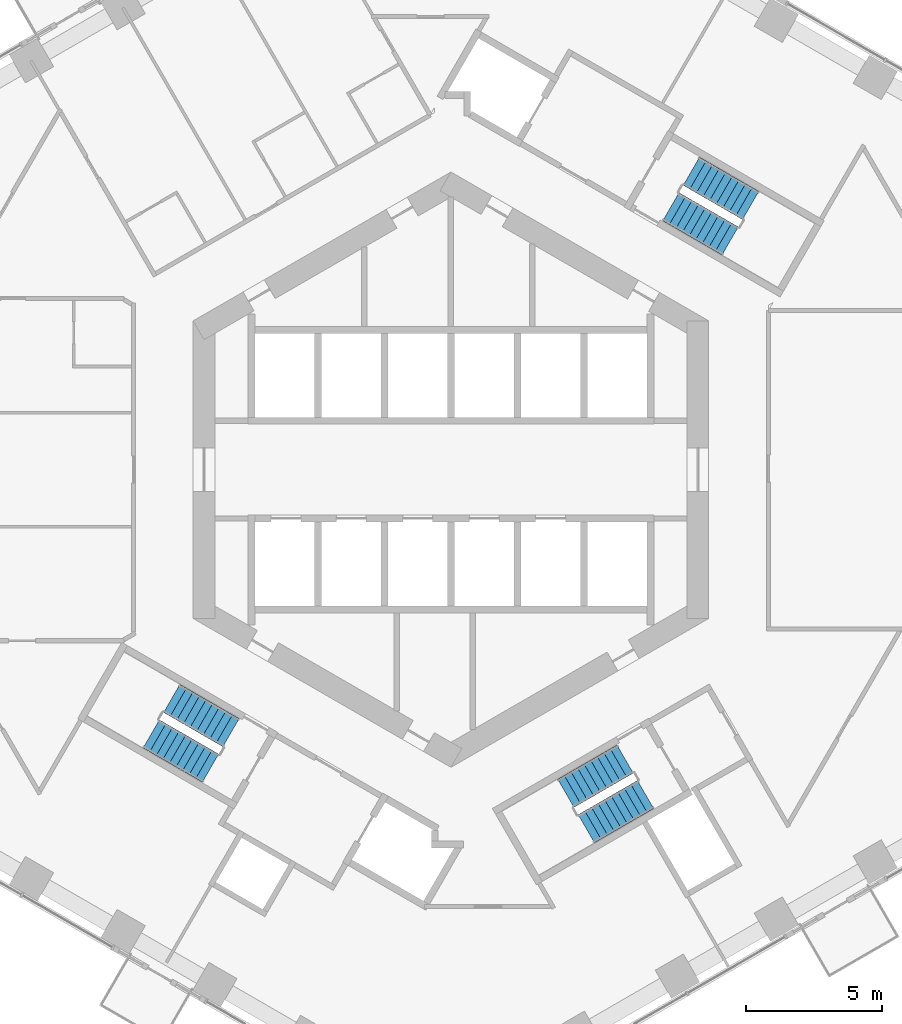
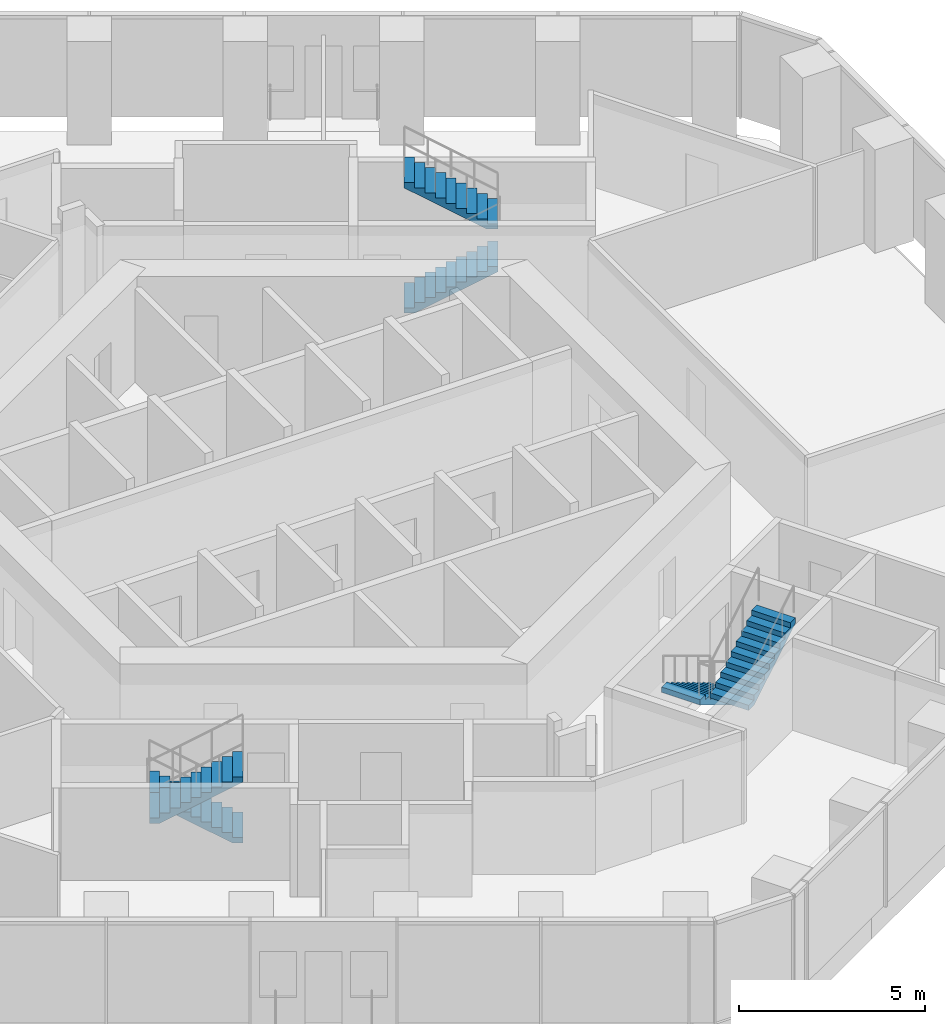
# One storey, part 17 of 20: 6 stair flights, 3 elements without a shape of their own.
"""IFC4 building model written with IfcOpenShell, lengths in metres."""

from ifc_helpers import new_model, si_unit, direction, frame, origin, place, context, subcontext, project, spatial, triangles, material, type_object, element, aggregate, save


model = new_model("IFC4")

# Units and contexts
model_context = context("Model", 3, precision=1e-05, world=origin(), true_north=direction((0.0, 1.0)))
body_context = subcontext(model_context, "Body", "Model", "MODEL_VIEW")
ifc_project = project(units=[si_unit("LENGTHUNIT", "METRE"), si_unit("AREAUNIT", "SQUARE_METRE"), si_unit("VOLUMEUNIT", "CUBIC_METRE"), si_unit("PLANEANGLEUNIT", "RADIAN"), si_unit("MASSUNIT", "GRAM", prefix="KILO")], contexts=[model_context])

# Site, building, storey
site_placement = place(None, origin())
site = spatial("IfcSite", under=ifc_project, at=site_placement, CompositionType="ELEMENT")
building_placement = place(site_placement, origin())
building = spatial("IfcBuilding", under=site, at=building_placement, Name="Ayvan Gate Tower", CompositionType="ELEMENT")
storey_placement = place(building_placement, frame((0.0, 0.0, 49.300048828125)))
storey = spatial("IfcBuildingStorey", under=building, at=storey_placement, Name="L12", CompositionType="ELEMENT", Elevation=49.300048828125)

# Stair, stair flights
ifc_material = material(Name="Concrete C40/50", Category="concrete")
stair_type = type_object("IfcStairType", Name="ST-EXIT", PredefinedType="HALF_TURN_STAIR", material=ifc_material)
stair_1_placement = place(storey_placement, origin())
stair_1 = element("IfcStair", 1, at=stair_1_placement, inside=storey, type_object=stair_type, Name="L12 Exit Stair S1", PredefinedType="HALF_TURN_STAIR")
stair_flight_type = type_object("IfcStairFlightType", Name="SFL-EXIT", PredefinedType="STRAIGHT", material=ifc_material)
stair_flight_1_placement = place(storey_placement, frame((8.106201171875, 9.690185546875, 0.0), z_axis=(0.0, 0.0, 1.0), x_axis=(0.866025403784, -0.5, 0.0)))
stair_flight_1 = element("IfcStairFlight", 2, at=stair_flight_1_placement, type_object=stair_flight_type, Name="STS1 flight 1", NumberOfRisers=10, NumberOfTreads=9, PredefinedType="STRAIGHT", RiserHeight=0.17, TreadLength=0.28, context=body_context, shape_type="Tessellation", body=[
    triangles([(0.288841, -0.599976, 0.0), (2.5205, -0.599976, 1.354936), (2.5205, -0.599976, 1.53), (2.24, -0.599976, 1.53), (2.24, -0.599976, 1.36), (1.96, -0.599976, 1.36), (1.96, -0.599976, 1.19), (1.68, -0.599976, 1.19), (1.68, -0.599976, 1.02), (1.4, -0.599976, 1.02), (1.4, -0.599976, 0.85), (1.12, -0.599976, 0.85), (1.12, -0.599976, 0.68), (0.84, -0.599976, 0.68), (0.84, -0.599976, 0.51), (0.56, -0.599976, 0.51), (0.56, -0.599976, 0.34), (0.28, -0.599976, 0.34), (0.28, -0.599976, 0.17), (-0.0005, -0.599976, 0.17), (-0.0005, -0.599976, 0.0), (0.288841, 0.0, 0.0), (2.5205, 0.0, 1.354936), (2.5205, 0.0, 1.53), (2.24, 0.0, 1.53), (2.24, 0.0, 1.36), (1.96, 0.0, 1.36), (1.96, 0.0, 1.19), (1.68, 0.0, 1.19), (1.68, 0.0, 1.02), (1.4, 0.0, 1.02), (1.4, 0.0, 0.85), (1.12, 0.0, 0.85), (1.12, 0.0, 0.68), (0.84, 0.0, 0.68), (0.84, 0.0, 0.51), (0.56, 0.0, 0.51), (0.56, 0.0, 0.34), (0.28, 0.0, 0.34), (0.28, 0.0, 0.17), (-0.0005, 0.0, 0.17), (-0.0005, 0.0, 0.0), (0.288841, 0.599976, 0.0), (2.5205, 0.599976, 1.354936), (2.5205, 0.599976, 1.53), (2.24, 0.599976, 1.53), (2.24, 0.599976, 1.36), (1.96, 0.599976, 1.36), (1.96, 0.599976, 1.19), (1.68, 0.599976, 1.19), (1.68, 0.599976, 1.02), (1.4, 0.599976, 1.02), (1.4, 0.599976, 0.85), (1.12, 0.599976, 0.85), (1.12, 0.599976, 0.68), (0.84, 0.599976, 0.68), (0.84, 0.599976, 0.51), (0.56, 0.599976, 0.51), (0.56, 0.599976, 0.34), (0.28, 0.599976, 0.34), (0.28, 0.599976, 0.17), (-0.0005, 0.599976, 0.17), (-0.0005, 0.599976, 0.0)], [[21, 1, 2], [63, 44, 43], [2, 3, 4], [44, 46, 45], [2, 4, 5], [44, 47, 46], [2, 5, 6], [44, 48, 47], [2, 6, 7], [44, 49, 48], [7, 8, 9], [49, 51, 50], [2, 7, 9], [44, 51, 49], [9, 10, 11], [51, 53, 52], [2, 9, 11], [44, 53, 51], [11, 12, 13], [53, 55, 54], [2, 11, 13], [44, 55, 53], [13, 14, 15], [55, 57, 56], [2, 13, 15], [44, 57, 55], [15, 16, 17], [57, 59, 58], [2, 15, 17], [44, 59, 57], [17, 18, 19], [59, 61, 60], [2, 17, 19], [44, 61, 59], [21, 2, 19], [63, 61, 44], [19, 20, 21], [61, 63, 62], [1, 22, 23], [1, 23, 2], [43, 23, 22], [43, 44, 23], [2, 23, 24], [2, 24, 3], [44, 24, 23], [44, 45, 24], [3, 24, 25], [3, 25, 4], [45, 25, 24], [45, 46, 25], [4, 25, 26], [4, 26, 5], [46, 26, 25], [46, 47, 26], [5, 26, 27], [5, 27, 6], [47, 27, 26], [47, 48, 27], [6, 27, 28], [6, 28, 7], [48, 28, 27], [48, 49, 28], [7, 28, 29], [7, 29, 8], [49, 29, 28], [49, 50, 29], [8, 29, 30], [8, 30, 9], [50, 30, 29], [50, 51, 30], [9, 30, 31], [9, 31, 10], [51, 31, 30], [51, 52, 31], [10, 31, 32], [10, 32, 11], [52, 32, 31], [52, 53, 32], [11, 32, 33], [11, 33, 12], [53, 33, 32], [53, 54, 33], [12, 33, 34], [12, 34, 13], [54, 34, 33], [54, 55, 34], [13, 34, 35], [13, 35, 14], [55, 35, 34], [55, 56, 35], [14, 35, 36], [14, 36, 15], [56, 36, 35], [56, 57, 36], [15, 36, 37], [15, 37, 16], [57, 37, 36], [57, 58, 37], [16, 37, 38], [16, 38, 17], [58, 38, 37], [58, 59, 38], [17, 38, 39], [17, 39, 18], [59, 39, 38], [59, 60, 39], [18, 39, 40], [18, 40, 19], [60, 40, 39], [60, 61, 40], [19, 40, 41], [19, 41, 20], [61, 41, 40], [61, 62, 41], [20, 41, 42], [20, 42, 21], [62, 42, 41], [62, 63, 42], [21, 42, 22], [21, 22, 1], [63, 22, 42], [63, 43, 22]], closed=True),
])
stair_flight_2_placement = place(storey_placement, frame((11.04345703125, 9.73779296875, 1.699951171875), z_axis=(0.0, 0.0, 1.0), x_axis=(-0.866025403784, 0.5, 0.0)))
stair_flight_2 = element("IfcStairFlight", 3, at=stair_flight_2_placement, type_object=stair_flight_type, Name="STS1 flight 2", NumberOfRisers=10, NumberOfTreads=9, PredefinedType="STRAIGHT", RiserHeight=0.17, TreadLength=0.28, context=body_context, shape_type="Tessellation", body=[
    triangles([(0.288841, -0.599976, 0.0), (2.5205, -0.599976, 1.354936), (2.5205, -0.599976, 1.53), (2.24, -0.599976, 1.53), (2.24, -0.599976, 1.36), (1.96, -0.599976, 1.36), (1.96, -0.599976, 1.19), (1.68, -0.599976, 1.19), (1.68, -0.599976, 1.02), (1.4, -0.599976, 1.02), (1.4, -0.599976, 0.85), (1.12, -0.599976, 0.85), (1.12, -0.599976, 0.68), (0.84, -0.599976, 0.68), (0.84, -0.599976, 0.51), (0.56, -0.599976, 0.51), (0.56, -0.599976, 0.34), (0.28, -0.599976, 0.34), (0.28, -0.599976, 0.17), (-0.0005, -0.599976, 0.17), (-0.0005, -0.599976, 0.0), (0.288841, 0.0, 0.0), (2.5205, 0.0, 1.354936), (2.5205, 0.0, 1.53), (2.24, 0.0, 1.53), (2.24, 0.0, 1.36), (1.96, 0.0, 1.36), (1.96, 0.0, 1.19), (1.68, 0.0, 1.19), (1.68, 0.0, 1.02), (1.4, 0.0, 1.02), (1.4, 0.0, 0.85), (1.12, 0.0, 0.85), (1.12, 0.0, 0.68), (0.84, 0.0, 0.68), (0.84, 0.0, 0.51), (0.56, 0.0, 0.51), (0.56, 0.0, 0.34), (0.28, 0.0, 0.34), (0.28, 0.0, 0.17), (-0.0005, 0.0, 0.17), (-0.0005, 0.0, 0.0), (0.288841, 0.599976, 0.0), (2.5205, 0.599976, 1.354936), (2.5205, 0.599976, 1.53), (2.24, 0.599976, 1.53), (2.24, 0.599976, 1.36), (1.96, 0.599976, 1.36), (1.96, 0.599976, 1.19), (1.68, 0.599976, 1.19), (1.68, 0.599976, 1.02), (1.4, 0.599976, 1.02), (1.4, 0.599976, 0.85), (1.12, 0.599976, 0.85), (1.12, 0.599976, 0.68), (0.84, 0.599976, 0.68), (0.84, 0.599976, 0.51), (0.56, 0.599976, 0.51), (0.56, 0.599976, 0.34), (0.28, 0.599976, 0.34), (0.28, 0.599976, 0.17), (-0.0005, 0.599976, 0.17), (-0.0005, 0.599976, 0.0)], [[21, 1, 2], [63, 44, 43], [2, 3, 4], [44, 46, 45], [2, 4, 5], [44, 47, 46], [2, 5, 6], [44, 48, 47], [2, 6, 7], [44, 49, 48], [7, 8, 9], [49, 51, 50], [2, 7, 9], [44, 51, 49], [9, 10, 11], [51, 53, 52], [2, 9, 11], [44, 53, 51], [11, 12, 13], [53, 55, 54], [2, 11, 13], [44, 55, 53], [13, 14, 15], [55, 57, 56], [2, 13, 15], [44, 57, 55], [15, 16, 17], [57, 59, 58], [2, 15, 17], [44, 59, 57], [17, 18, 19], [59, 61, 60], [2, 17, 19], [44, 61, 59], [21, 2, 19], [63, 61, 44], [19, 20, 21], [61, 63, 62], [1, 22, 23], [1, 23, 2], [43, 23, 22], [43, 44, 23], [2, 23, 24], [2, 24, 3], [44, 24, 23], [44, 45, 24], [3, 24, 25], [3, 25, 4], [45, 25, 24], [45, 46, 25], [4, 25, 26], [4, 26, 5], [46, 26, 25], [46, 47, 26], [5, 26, 27], [5, 27, 6], [47, 27, 26], [47, 48, 27], [6, 27, 28], [6, 28, 7], [48, 28, 27], [48, 49, 28], [7, 28, 29], [7, 29, 8], [49, 29, 28], [49, 50, 29], [8, 29, 30], [8, 30, 9], [50, 30, 29], [50, 51, 30], [9, 30, 31], [9, 31, 10], [51, 31, 30], [51, 52, 31], [10, 31, 32], [10, 32, 11], [52, 32, 31], [52, 53, 32], [11, 32, 33], [11, 33, 12], [53, 33, 32], [53, 54, 33], [12, 33, 34], [12, 34, 13], [54, 34, 33], [54, 55, 34], [13, 34, 35], [13, 35, 14], [55, 35, 34], [55, 56, 35], [14, 35, 36], [14, 36, 15], [56, 36, 35], [56, 57, 36], [15, 36, 37], [15, 37, 16], [57, 37, 36], [57, 58, 37], [16, 37, 38], [16, 38, 17], [58, 38, 37], [58, 59, 38], [17, 38, 39], [17, 39, 18], [59, 39, 38], [59, 60, 39], [18, 39, 40], [18, 40, 19], [60, 40, 39], [60, 61, 40], [19, 40, 41], [19, 41, 20], [61, 41, 40], [61, 62, 41], [20, 41, 42], [20, 42, 21], [62, 42, 41], [62, 63, 42], [21, 42, 22], [21, 22, 1], [63, 22, 42], [63, 43, 22]], closed=True),
])
aggregate(stair_1, [stair_flight_1, stair_flight_2])

stair_2_placement = place(storey_placement, origin())
stair_2 = element("IfcStair", 4, at=stair_2_placement, inside=storey, type_object=stair_type, Name="L12 Exit Stair S2", PredefinedType="HALF_TURN_STAIR")
stair_flight_3_placement = place(storey_placement, frame((-8.106201171875, -9.690185546875, 0.0), z_axis=(0.0, 0.0, 1.0), x_axis=(-0.866025403784, 0.5, 0.0)))
stair_flight_3 = element("IfcStairFlight", 5, at=stair_flight_3_placement, type_object=stair_flight_type, Name="STS2 flight 1", NumberOfRisers=10, NumberOfTreads=9, PredefinedType="STRAIGHT", RiserHeight=0.17, TreadLength=0.28, context=body_context, shape_type="Tessellation", body=[
    triangles([(0.288841, -0.599976, 0.0), (2.5205, -0.599976, 1.354936), (2.5205, -0.599976, 1.53), (2.24, -0.599976, 1.53), (2.24, -0.599976, 1.36), (1.96, -0.599976, 1.36), (1.96, -0.599976, 1.19), (1.68, -0.599976, 1.19), (1.68, -0.599976, 1.02), (1.4, -0.599976, 1.02), (1.4, -0.599976, 0.85), (1.12, -0.599976, 0.85), (1.12, -0.599976, 0.68), (0.84, -0.599976, 0.68), (0.84, -0.599976, 0.51), (0.56, -0.599976, 0.51), (0.56, -0.599976, 0.34), (0.28, -0.599976, 0.34), (0.28, -0.599976, 0.17), (-0.0005, -0.599976, 0.17), (-0.0005, -0.599976, 0.0), (0.288841, 0.0, 0.0), (2.5205, 0.0, 1.354936), (2.5205, 0.0, 1.53), (2.24, 0.0, 1.53), (2.24, 0.0, 1.36), (1.96, 0.0, 1.36), (1.96, 0.0, 1.19), (1.68, 0.0, 1.19), (1.68, 0.0, 1.02), (1.4, 0.0, 1.02), (1.4, 0.0, 0.85), (1.12, 0.0, 0.85), (1.12, 0.0, 0.68), (0.84, 0.0, 0.68), (0.84, 0.0, 0.51), (0.56, 0.0, 0.51), (0.56, 0.0, 0.34), (0.28, 0.0, 0.34), (0.28, 0.0, 0.17), (-0.0005, 0.0, 0.17), (-0.0005, 0.0, 0.0), (0.288841, 0.599976, 0.0), (2.5205, 0.599976, 1.354936), (2.5205, 0.599976, 1.53), (2.24, 0.599976, 1.53), (2.24, 0.599976, 1.36), (1.96, 0.599976, 1.36), (1.96, 0.599976, 1.19), (1.68, 0.599976, 1.19), (1.68, 0.599976, 1.02), (1.4, 0.599976, 1.02), (1.4, 0.599976, 0.85), (1.12, 0.599976, 0.85), (1.12, 0.599976, 0.68), (0.84, 0.599976, 0.68), (0.84, 0.599976, 0.51), (0.56, 0.599976, 0.51), (0.56, 0.599976, 0.34), (0.28, 0.599976, 0.34), (0.28, 0.599976, 0.17), (-0.0005, 0.599976, 0.17), (-0.0005, 0.599976, 0.0)], [[21, 1, 2], [63, 44, 43], [2, 3, 4], [44, 46, 45], [2, 4, 5], [44, 47, 46], [2, 5, 6], [44, 48, 47], [2, 6, 7], [44, 49, 48], [7, 8, 9], [49, 51, 50], [2, 7, 9], [44, 51, 49], [9, 10, 11], [51, 53, 52], [2, 9, 11], [44, 53, 51], [11, 12, 13], [53, 55, 54], [2, 11, 13], [44, 55, 53], [13, 14, 15], [55, 57, 56], [2, 13, 15], [44, 57, 55], [15, 16, 17], [57, 59, 58], [2, 15, 17], [44, 59, 57], [17, 18, 19], [59, 61, 60], [2, 17, 19], [44, 61, 59], [21, 2, 19], [63, 61, 44], [19, 20, 21], [61, 63, 62], [1, 22, 23], [1, 23, 2], [43, 23, 22], [43, 44, 23], [2, 23, 24], [2, 24, 3], [44, 24, 23], [44, 45, 24], [3, 24, 25], [3, 25, 4], [45, 25, 24], [45, 46, 25], [4, 25, 26], [4, 26, 5], [46, 26, 25], [46, 47, 26], [5, 26, 27], [5, 27, 6], [47, 27, 26], [47, 48, 27], [6, 27, 28], [6, 28, 7], [48, 28, 27], [48, 49, 28], [7, 28, 29], [7, 29, 8], [49, 29, 28], [49, 50, 29], [8, 29, 30], [8, 30, 9], [50, 30, 29], [50, 51, 30], [9, 30, 31], [9, 31, 10], [51, 31, 30], [51, 52, 31], [10, 31, 32], [10, 32, 11], [52, 32, 31], [52, 53, 32], [11, 32, 33], [11, 33, 12], [53, 33, 32], [53, 54, 33], [12, 33, 34], [12, 34, 13], [54, 34, 33], [54, 55, 34], [13, 34, 35], [13, 35, 14], [55, 35, 34], [55, 56, 35], [14, 35, 36], [14, 36, 15], [56, 36, 35], [56, 57, 36], [15, 36, 37], [15, 37, 16], [57, 37, 36], [57, 58, 37], [16, 37, 38], [16, 38, 17], [58, 38, 37], [58, 59, 38], [17, 38, 39], [17, 39, 18], [59, 39, 38], [59, 60, 39], [18, 39, 40], [18, 40, 19], [60, 40, 39], [60, 61, 40], [19, 40, 41], [19, 41, 20], [61, 41, 40], [61, 62, 41], [20, 41, 42], [20, 42, 21], [62, 42, 41], [62, 63, 42], [21, 42, 22], [21, 22, 1], [63, 22, 42], [63, 43, 22]], closed=True),
])
stair_flight_4_placement = place(storey_placement, frame((-11.04345703125, -9.73779296875, 1.699951171875), z_axis=(0.0, 0.0, 1.0), x_axis=(0.866025403784, -0.5, 0.0)))
stair_flight_4 = element("IfcStairFlight", 6, at=stair_flight_4_placement, type_object=stair_flight_type, Name="STS2 flight 2", NumberOfRisers=10, NumberOfTreads=9, PredefinedType="STRAIGHT", RiserHeight=0.17, TreadLength=0.28, context=body_context, shape_type="Tessellation", body=[
    triangles([(0.288841, -0.599976, 0.0), (2.5205, -0.599976, 1.354936), (2.5205, -0.599976, 1.53), (2.24, -0.599976, 1.53), (2.24, -0.599976, 1.36), (1.96, -0.599976, 1.36), (1.96, -0.599976, 1.19), (1.68, -0.599976, 1.19), (1.68, -0.599976, 1.02), (1.4, -0.599976, 1.02), (1.4, -0.599976, 0.85), (1.12, -0.599976, 0.85), (1.12, -0.599976, 0.68), (0.84, -0.599976, 0.68), (0.84, -0.599976, 0.51), (0.56, -0.599976, 0.51), (0.56, -0.599976, 0.34), (0.28, -0.599976, 0.34), (0.28, -0.599976, 0.17), (-0.0005, -0.599976, 0.17), (-0.0005, -0.599976, 0.0), (0.288841, 0.0, 0.0), (2.5205, 0.0, 1.354936), (2.5205, 0.0, 1.53), (2.24, 0.0, 1.53), (2.24, 0.0, 1.36), (1.96, 0.0, 1.36), (1.96, 0.0, 1.19), (1.68, 0.0, 1.19), (1.68, 0.0, 1.02), (1.4, 0.0, 1.02), (1.4, 0.0, 0.85), (1.12, 0.0, 0.85), (1.12, 0.0, 0.68), (0.84, 0.0, 0.68), (0.84, 0.0, 0.51), (0.56, 0.0, 0.51), (0.56, 0.0, 0.34), (0.28, 0.0, 0.34), (0.28, 0.0, 0.17), (-0.0005, 0.0, 0.17), (-0.0005, 0.0, 0.0), (0.288841, 0.599976, 0.0), (2.5205, 0.599976, 1.354936), (2.5205, 0.599976, 1.53), (2.24, 0.599976, 1.53), (2.24, 0.599976, 1.36), (1.96, 0.599976, 1.36), (1.96, 0.599976, 1.19), (1.68, 0.599976, 1.19), (1.68, 0.599976, 1.02), (1.4, 0.599976, 1.02), (1.4, 0.599976, 0.85), (1.12, 0.599976, 0.85), (1.12, 0.599976, 0.68), (0.84, 0.599976, 0.68), (0.84, 0.599976, 0.51), (0.56, 0.599976, 0.51), (0.56, 0.599976, 0.34), (0.28, 0.599976, 0.34), (0.28, 0.599976, 0.17), (-0.0005, 0.599976, 0.17), (-0.0005, 0.599976, 0.0)], [[21, 1, 2], [63, 44, 43], [2, 3, 4], [44, 46, 45], [2, 4, 5], [44, 47, 46], [2, 5, 6], [44, 48, 47], [2, 6, 7], [44, 49, 48], [7, 8, 9], [49, 51, 50], [2, 7, 9], [44, 51, 49], [9, 10, 11], [51, 53, 52], [2, 9, 11], [44, 53, 51], [11, 12, 13], [53, 55, 54], [2, 11, 13], [44, 55, 53], [13, 14, 15], [55, 57, 56], [2, 13, 15], [44, 57, 55], [15, 16, 17], [57, 59, 58], [2, 15, 17], [44, 59, 57], [17, 18, 19], [59, 61, 60], [2, 17, 19], [44, 61, 59], [21, 2, 19], [63, 61, 44], [19, 20, 21], [61, 63, 62], [1, 22, 23], [1, 23, 2], [43, 23, 22], [43, 44, 23], [2, 23, 24], [2, 24, 3], [44, 24, 23], [44, 45, 24], [3, 24, 25], [3, 25, 4], [45, 25, 24], [45, 46, 25], [4, 25, 26], [4, 26, 5], [46, 26, 25], [46, 47, 26], [5, 26, 27], [5, 27, 6], [47, 27, 26], [47, 48, 27], [6, 27, 28], [6, 28, 7], [48, 28, 27], [48, 49, 28], [7, 28, 29], [7, 29, 8], [49, 29, 28], [49, 50, 29], [8, 29, 30], [8, 30, 9], [50, 30, 29], [50, 51, 30], [9, 30, 31], [9, 31, 10], [51, 31, 30], [51, 52, 31], [10, 31, 32], [10, 32, 11], [52, 32, 31], [52, 53, 32], [11, 32, 33], [11, 33, 12], [53, 33, 32], [53, 54, 33], [12, 33, 34], [12, 34, 13], [54, 34, 33], [54, 55, 34], [13, 34, 35], [13, 35, 14], [55, 35, 34], [55, 56, 35], [14, 35, 36], [14, 36, 15], [56, 36, 35], [56, 57, 36], [15, 36, 37], [15, 37, 16], [57, 37, 36], [57, 58, 37], [16, 37, 38], [16, 38, 17], [58, 38, 37], [58, 59, 38], [17, 38, 39], [17, 39, 18], [59, 39, 38], [59, 60, 39], [18, 39, 40], [18, 40, 19], [60, 40, 39], [60, 61, 40], [19, 40, 41], [19, 41, 20], [61, 41, 40], [61, 62, 41], [20, 41, 42], [20, 42, 21], [62, 42, 41], [62, 63, 42], [21, 42, 22], [21, 22, 1], [63, 22, 42], [63, 43, 22]], closed=True),
])
aggregate(stair_2, [stair_flight_3, stair_flight_4])

stair_3_placement = place(storey_placement, origin())
stair_3 = element("IfcStair", 7, at=stair_3_placement, inside=storey, type_object=stair_type, Name="L12 Exit Stair S3", PredefinedType="HALF_TURN_STAIR")
stair_flight_5_placement = place(storey_placement, frame((6.417236328125, -10.665283203125, 0.0), z_axis=(0.0, 0.0, 1.0), x_axis=(-0.866025403784, -0.5, 0.0)))
stair_flight_5 = element("IfcStairFlight", 8, at=stair_flight_5_placement, type_object=stair_flight_type, Name="STS3 flight 1", NumberOfRisers=10, NumberOfTreads=9, PredefinedType="STRAIGHT", RiserHeight=0.17, TreadLength=0.28, context=body_context, shape_type="Tessellation", body=[
    triangles([(0.288841, -0.599976, 0.0), (2.5205, -0.599976, 1.354936), (2.5205, -0.599976, 1.53), (2.24, -0.599976, 1.53), (2.24, -0.599976, 1.36), (1.96, -0.599976, 1.36), (1.96, -0.599976, 1.19), (1.68, -0.599976, 1.19), (1.68, -0.599976, 1.02), (1.4, -0.599976, 1.02), (1.4, -0.599976, 0.85), (1.12, -0.599976, 0.85), (1.12, -0.599976, 0.68), (0.84, -0.599976, 0.68), (0.84, -0.599976, 0.51), (0.56, -0.599976, 0.51), (0.56, -0.599976, 0.34), (0.28, -0.599976, 0.34), (0.28, -0.599976, 0.17), (-0.0005, -0.599976, 0.17), (-0.0005, -0.599976, 0.0), (0.288841, 0.0, 0.0), (2.5205, 0.0, 1.354936), (2.5205, 0.0, 1.53), (2.24, 0.0, 1.53), (2.24, 0.0, 1.36), (1.96, 0.0, 1.36), (1.96, 0.0, 1.19), (1.68, 0.0, 1.19), (1.68, 0.0, 1.02), (1.4, 0.0, 1.02), (1.4, 0.0, 0.85), (1.12, 0.0, 0.85), (1.12, 0.0, 0.68), (0.84, 0.0, 0.68), (0.84, 0.0, 0.51), (0.56, 0.0, 0.51), (0.56, 0.0, 0.34), (0.28, 0.0, 0.34), (0.28, 0.0, 0.17), (-0.0005, 0.0, 0.17), (-0.0005, 0.0, 0.0), (0.288841, 0.599976, 0.0), (2.5205, 0.599976, 1.354936), (2.5205, 0.599976, 1.53), (2.24, 0.599976, 1.53), (2.24, 0.599976, 1.36), (1.96, 0.599976, 1.36), (1.96, 0.599976, 1.19), (1.68, 0.599976, 1.19), (1.68, 0.599976, 1.02), (1.4, 0.599976, 1.02), (1.4, 0.599976, 0.85), (1.12, 0.599976, 0.85), (1.12, 0.599976, 0.68), (0.84, 0.599976, 0.68), (0.84, 0.599976, 0.51), (0.56, 0.599976, 0.51), (0.56, 0.599976, 0.34), (0.28, 0.599976, 0.34), (0.28, 0.599976, 0.17), (-0.0005, 0.599976, 0.17), (-0.0005, 0.599976, 0.0)], [[21, 1, 2], [63, 44, 43], [2, 3, 4], [44, 46, 45], [2, 4, 5], [44, 47, 46], [2, 5, 6], [44, 48, 47], [2, 6, 7], [44, 49, 48], [7, 8, 9], [49, 51, 50], [2, 7, 9], [44, 51, 49], [9, 10, 11], [51, 53, 52], [2, 9, 11], [44, 53, 51], [11, 12, 13], [53, 55, 54], [2, 11, 13], [44, 55, 53], [13, 14, 15], [55, 57, 56], [2, 13, 15], [44, 57, 55], [15, 16, 17], [57, 59, 58], [2, 15, 17], [44, 59, 57], [17, 18, 19], [59, 61, 60], [2, 17, 19], [44, 61, 59], [21, 2, 19], [63, 61, 44], [19, 20, 21], [61, 63, 62], [1, 22, 23], [1, 23, 2], [43, 23, 22], [43, 44, 23], [2, 23, 24], [2, 24, 3], [44, 24, 23], [44, 45, 24], [3, 24, 25], [3, 25, 4], [45, 25, 24], [45, 46, 25], [4, 25, 26], [4, 26, 5], [46, 26, 25], [46, 47, 26], [5, 26, 27], [5, 27, 6], [47, 27, 26], [47, 48, 27], [6, 27, 28], [6, 28, 7], [48, 28, 27], [48, 49, 28], [7, 28, 29], [7, 29, 8], [49, 29, 28], [49, 50, 29], [8, 29, 30], [8, 30, 9], [50, 30, 29], [50, 51, 30], [9, 30, 31], [9, 31, 10], [51, 31, 30], [51, 52, 31], [10, 31, 32], [10, 32, 11], [52, 32, 31], [52, 53, 32], [11, 32, 33], [11, 33, 12], [53, 33, 32], [53, 54, 33], [12, 33, 34], [12, 34, 13], [54, 34, 33], [54, 55, 34], [13, 34, 35], [13, 35, 14], [55, 35, 34], [55, 56, 35], [14, 35, 36], [14, 36, 15], [56, 36, 35], [56, 57, 36], [15, 36, 37], [15, 37, 16], [57, 37, 36], [57, 58, 37], [16, 37, 38], [16, 38, 17], [58, 38, 37], [58, 59, 38], [17, 38, 39], [17, 39, 18], [59, 39, 38], [59, 60, 39], [18, 39, 40], [18, 40, 19], [60, 40, 39], [60, 61, 40], [19, 40, 41], [19, 41, 20], [61, 41, 40], [61, 62, 41], [20, 41, 42], [20, 42, 21], [62, 42, 41], [62, 63, 42], [21, 42, 22], [21, 22, 1], [63, 22, 42], [63, 43, 22]], closed=True),
])
stair_flight_6_placement = place(storey_placement, frame((4.989990234375, -13.23291015625, 1.699951171875), z_axis=(0.0, 0.0, 1.0), x_axis=(0.866025403784, 0.5, 0.0)))
stair_flight_6 = element("IfcStairFlight", 9, at=stair_flight_6_placement, type_object=stair_flight_type, Name="STS3 flight 2", NumberOfRisers=10, NumberOfTreads=9, PredefinedType="STRAIGHT", RiserHeight=0.17, TreadLength=0.28, context=body_context, shape_type="Tessellation", body=[
    triangles([(0.288841, -0.599976, 0.0), (2.5205, -0.599976, 1.354936), (2.5205, -0.599976, 1.53), (2.24, -0.599976, 1.53), (2.24, -0.599976, 1.36), (1.96, -0.599976, 1.36), (1.96, -0.599976, 1.19), (1.68, -0.599976, 1.19), (1.68, -0.599976, 1.02), (1.4, -0.599976, 1.02), (1.4, -0.599976, 0.85), (1.12, -0.599976, 0.85), (1.12, -0.599976, 0.68), (0.84, -0.599976, 0.68), (0.84, -0.599976, 0.51), (0.56, -0.599976, 0.51), (0.56, -0.599976, 0.34), (0.28, -0.599976, 0.34), (0.28, -0.599976, 0.17), (-0.0005, -0.599976, 0.17), (-0.0005, -0.599976, 0.0), (0.288841, 0.0, 0.0), (2.5205, 0.0, 1.354936), (2.5205, 0.0, 1.53), (2.24, 0.0, 1.53), (2.24, 0.0, 1.36), (1.96, 0.0, 1.36), (1.96, 0.0, 1.19), (1.68, 0.0, 1.19), (1.68, 0.0, 1.02), (1.4, 0.0, 1.02), (1.4, 0.0, 0.85), (1.12, 0.0, 0.85), (1.12, 0.0, 0.68), (0.84, 0.0, 0.68), (0.84, 0.0, 0.51), (0.56, 0.0, 0.51), (0.56, 0.0, 0.34), (0.28, 0.0, 0.34), (0.28, 0.0, 0.17), (-0.0005, 0.0, 0.17), (-0.0005, 0.0, 0.0), (0.288841, 0.599976, 0.0), (2.5205, 0.599976, 1.354936), (2.5205, 0.599976, 1.53), (2.24, 0.599976, 1.53), (2.24, 0.599976, 1.36), (1.96, 0.599976, 1.36), (1.96, 0.599976, 1.19), (1.68, 0.599976, 1.19), (1.68, 0.599976, 1.02), (1.4, 0.599976, 1.02), (1.4, 0.599976, 0.85), (1.12, 0.599976, 0.85), (1.12, 0.599976, 0.68), (0.84, 0.599976, 0.68), (0.84, 0.599976, 0.51), (0.56, 0.599976, 0.51), (0.56, 0.599976, 0.34), (0.28, 0.599976, 0.34), (0.28, 0.599976, 0.17), (-0.0005, 0.599976, 0.17), (-0.0005, 0.599976, 0.0)], [[21, 1, 2], [63, 44, 43], [2, 3, 4], [44, 46, 45], [2, 4, 5], [44, 47, 46], [2, 5, 6], [44, 48, 47], [2, 6, 7], [44, 49, 48], [7, 8, 9], [49, 51, 50], [2, 7, 9], [44, 51, 49], [9, 10, 11], [51, 53, 52], [2, 9, 11], [44, 53, 51], [11, 12, 13], [53, 55, 54], [2, 11, 13], [44, 55, 53], [13, 14, 15], [55, 57, 56], [2, 13, 15], [44, 57, 55], [15, 16, 17], [57, 59, 58], [2, 15, 17], [44, 59, 57], [17, 18, 19], [59, 61, 60], [2, 17, 19], [44, 61, 59], [21, 2, 19], [63, 61, 44], [19, 20, 21], [61, 63, 62], [1, 22, 23], [1, 23, 2], [43, 23, 22], [43, 44, 23], [2, 23, 24], [2, 24, 3], [44, 24, 23], [44, 45, 24], [3, 24, 25], [3, 25, 4], [45, 25, 24], [45, 46, 25], [4, 25, 26], [4, 26, 5], [46, 26, 25], [46, 47, 26], [5, 26, 27], [5, 27, 6], [47, 27, 26], [47, 48, 27], [6, 27, 28], [6, 28, 7], [48, 28, 27], [48, 49, 28], [7, 28, 29], [7, 29, 8], [49, 29, 28], [49, 50, 29], [8, 29, 30], [8, 30, 9], [50, 30, 29], [50, 51, 30], [9, 30, 31], [9, 31, 10], [51, 31, 30], [51, 52, 31], [10, 31, 32], [10, 32, 11], [52, 32, 31], [52, 53, 32], [11, 32, 33], [11, 33, 12], [53, 33, 32], [53, 54, 33], [12, 33, 34], [12, 34, 13], [54, 34, 33], [54, 55, 34], [13, 34, 35], [13, 35, 14], [55, 35, 34], [55, 56, 35], [14, 35, 36], [14, 36, 15], [56, 36, 35], [56, 57, 36], [15, 36, 37], [15, 37, 16], [57, 37, 36], [57, 58, 37], [16, 37, 38], [16, 38, 17], [58, 38, 37], [58, 59, 38], [17, 38, 39], [17, 39, 18], [59, 39, 38], [59, 60, 39], [18, 39, 40], [18, 40, 19], [60, 40, 39], [60, 61, 40], [19, 40, 41], [19, 41, 20], [61, 41, 40], [61, 62, 41], [20, 41, 42], [20, 42, 21], [62, 42, 41], [62, 63, 42], [21, 42, 22], [21, 22, 1], [63, 22, 42], [63, 43, 22]], closed=True),
])
aggregate(stair_3, [stair_flight_5, stair_flight_6])

save(model, "model.ifc")
